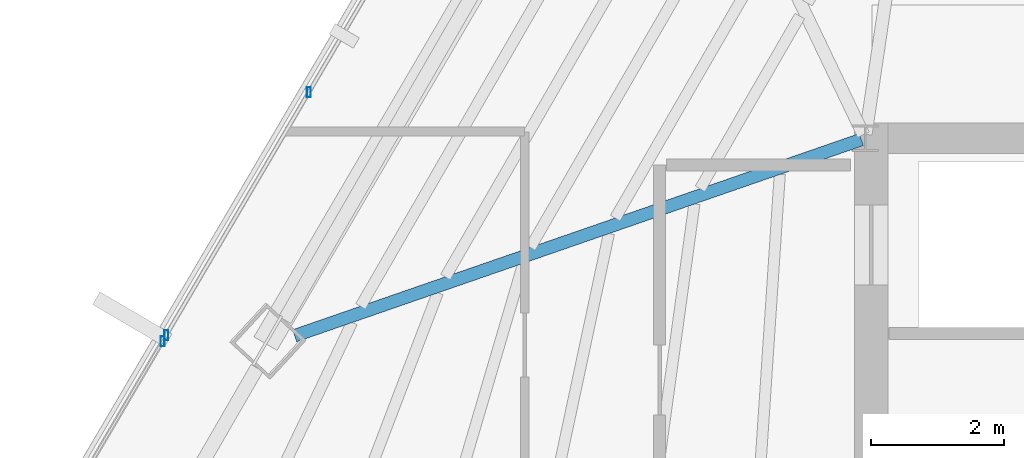
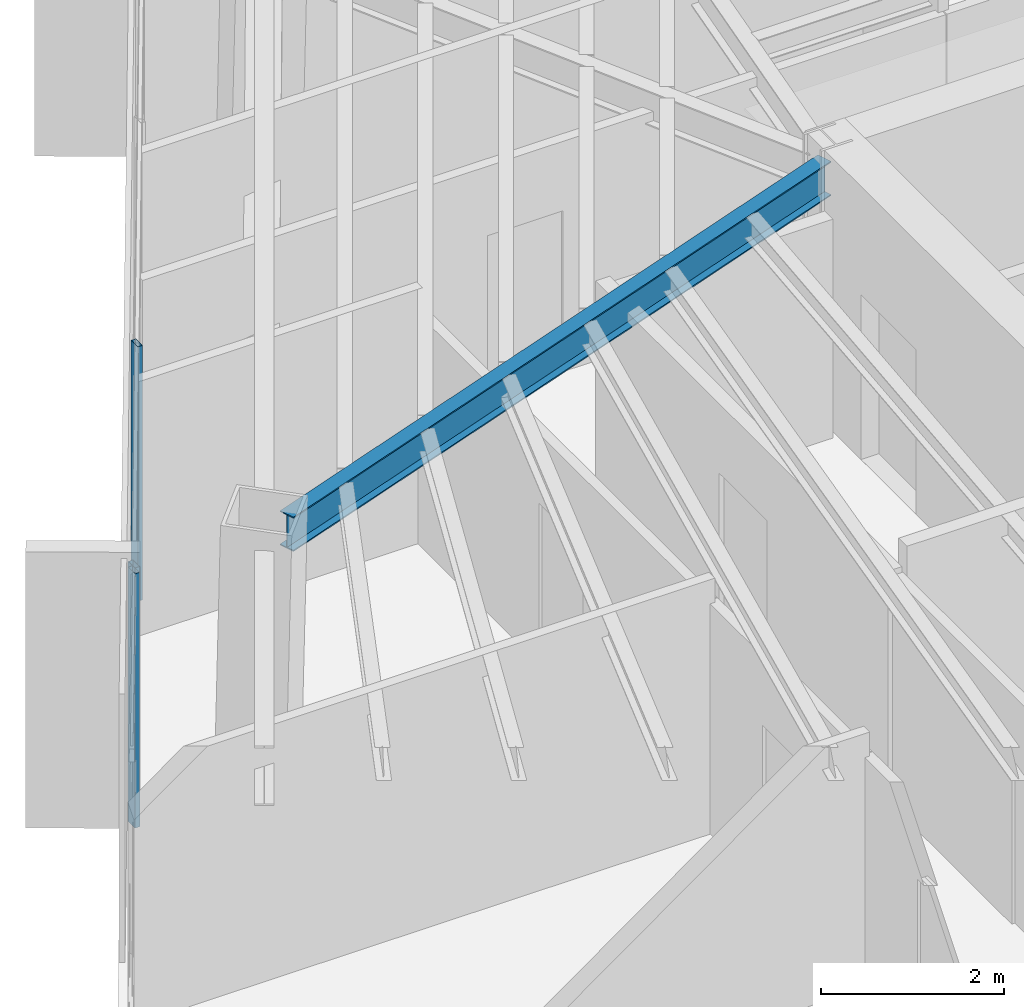
# One storey, part 14 of 42: 3 members, 1 beam, 2 elements without a shape of their own.
"""IFC4 building model written with IfcOpenShell, lengths in metres."""

import ifcopenshell
import ifcopenshell.guid

model = None  # the IFC model being written
_history = None  # IfcOwnerHistory: only IFC2X3 demands one
_inside = {}  # id of a spatial element -> (the spatial element, [elements in it])
_under = {}  # id of a project, library or spatial element -> (it, [spatial elements below it])
_declared = {}  # id of a project -> (the project, [libraries it declares])
_typed = {}  # id of a type object -> (the type object, [elements of that type])
_made_of = {}  # id of a material, layer set ... -> (it, [elements and type objects made of it])


def new_model(schema):
    """Start an empty IFC model of exactly this schema.

    Asked for "IFC4X3", IfcOpenShell would pick the latest addendum, in which some entities
    have other attributes; the version numbers below select the first issue.
    IFC2X3 requires an IfcOwnerHistory on every rooted entity: one is made here for all.
    """
    global model, _history
    if schema == "IFC4X3":
        model = ifcopenshell.file(schema_version=(4, 3, 0, 0))
    else:
        model = ifcopenshell.file(schema=schema)
    _inside.clear()
    _under.clear()
    _declared.clear()
    _typed.clear()
    _made_of.clear()
    _history = None
    if model.schema == "IFC2X3":
        org = make("IfcOrganization", Name="unknown")
        user = make(
            "IfcPersonAndOrganization",
            ThePerson=make("IfcPerson", FamilyName="unknown"),
            TheOrganization=org,
        )
        app = make(
            "IfcApplication",
            ApplicationDeveloper=org,
            Version="unknown",
            ApplicationFullName="unknown",
            ApplicationIdentifier="unknown",
        )
        _history = make(
            "IfcOwnerHistory",
            OwningUser=user,
            OwningApplication=app,
            ChangeAction="ADDED",
            CreationDate=0,
        )
    return model


def make(cls, **values):
    """One entity of the class cls with the attributes given. An attribute that is None is left unset."""
    return model.create_entity(
        cls, **{name: value for name, value in values.items() if value is not None}
    )


def rooted(cls, **values):
    """An entity with a GlobalId (a new one), such as an element, a storey or a relation."""
    return make(cls, GlobalId=ifcopenshell.guid.new(), OwnerHistory=_history, **values)


def si_unit(unit_type, name, prefix=None):
    """IfcSIUnit, for example si_unit("LENGTHUNIT", "METRE", prefix="MILLI")."""
    return make("IfcSIUnit", UnitType=unit_type, Prefix=prefix, Name=name)


def assignment(units):
    """IfcUnitAssignment: the units of a project."""
    return None if units is None else make("IfcUnitAssignment", Units=units)


def point(xyz):
    """IfcCartesianPoint."""
    return None if xyz is None else make("IfcCartesianPoint", Coordinates=xyz)


def direction(xyz):
    """IfcDirection."""
    return None if xyz is None else make("IfcDirection", DirectionRatios=xyz)


def frame(location, z_axis=None, x_axis=None):
    """IfcAxis2Placement3D, a coordinate frame: its origin and axes. An axis left out is left unset."""
    return make(
        "IfcAxis2Placement3D",
        Location=point(location),
        Axis=direction(z_axis),
        RefDirection=direction(x_axis),
    )


def frame_2d(location, x_axis=None):
    """IfcAxis2Placement2D, a coordinate frame in the plane: its origin and x axis."""
    return make(
        "IfcAxis2Placement2D", Location=point(location), RefDirection=direction(x_axis)
    )


def origin():
    """The frame at (0, 0, 0) with its axes left unset."""
    return frame((0.0, 0.0, 0.0))


def origin_2d():
    """The frame at (0, 0) in the plane with its x axis left unset."""
    return frame_2d((0.0, 0.0))


def place(relative_to, where):
    """IfcLocalPlacement: puts the frame where relative to a parent placement (None: the world)."""
    return make(
        "IfcLocalPlacement", PlacementRelTo=relative_to, RelativePlacement=where
    )


def context(
    kind, dimensions, precision=None, world=None, true_north=None, identifier=None
):
    """IfcGeometricRepresentationContext, for example the 3D "Model" context."""
    return make(
        "IfcGeometricRepresentationContext",
        ContextIdentifier=identifier,
        ContextType=kind,
        CoordinateSpaceDimension=dimensions,
        Precision=precision,
        WorldCoordinateSystem=world,
        TrueNorth=true_north,
    )


def subcontext(parent, identifier, kind, view, scale=None):
    """IfcGeometricRepresentationSubContext, for example "Body" below "Model"."""
    return make(
        "IfcGeometricRepresentationSubContext",
        ContextIdentifier=identifier,
        ContextType=kind,
        ParentContext=parent,
        TargetScale=scale,
        TargetView=view,
    )


def project(units=None, contexts=None):
    """IfcProject with its units and contexts."""
    return rooted(
        "IfcProject",
        Name="project",
        RepresentationContexts=contexts,
        UnitsInContext=assignment(units),
    )


def spatial(cls, under=None, at=None, **own):
    """A site, building, storey or space (cls), placed at a placement, below another one or the project."""
    s = rooted(cls, ObjectPlacement=at, **own)
    if under is not None:
        _under.setdefault(under.id(), (under, []))[1].append(s)
    return s


def profile(cls, at=None, kind="AREA", **sizes):
    """A parametric profile (cls). Its sizes go by their IFC names, for example OverallWidth=200.0."""
    return make(cls, ProfileType=kind, Position=at, **sizes)


def hollow_rectangle(**sizes):
    """IfcRectangleHollowProfileDef."""
    return profile("IfcRectangleHollowProfileDef", **sizes)


def i_section(**sizes):
    """IfcIShapeProfileDef."""
    return profile("IfcIShapeProfileDef", **sizes)


def extrude(swept, where, along, depth):
    """IfcExtrudedAreaSolid: the profile swept, set in the frame where, extruded along a direction by depth."""
    return make(
        "IfcExtrudedAreaSolid",
        SweptArea=swept,
        Position=where,
        ExtrudedDirection=direction(along),
        Depth=depth,
    )


def shape(context_of_items, identifier, shape_type, items):
    """IfcShapeRepresentation: the items that make up one representation, for example the "Body"."""
    return make(
        "IfcShapeRepresentation",
        ContextOfItems=context_of_items,
        RepresentationIdentifier=identifier,
        RepresentationType=shape_type,
        Items=items,
    )


def source(mapping_origin, context_of_items, identifier, shape_type, items):
    """IfcRepresentationMap: a shape defined once, which mapped items show again and again."""
    return make(
        "IfcRepresentationMap",
        MappingOrigin=mapping_origin,
        MappedRepresentation=shape(context_of_items, identifier, shape_type, items),
    )


def transform(
    local_origin,
    x_axis=None,
    y_axis=None,
    z_axis=None,
    scale=None,
    scale2=None,
    scale3=None,
    uniform=True,
):
    """IfcCartesianTransformationOperator3D, or its non-uniform kind. x_axis, y_axis, z_axis: its Axis1, 2, 3."""
    if uniform:
        return make(
            "IfcCartesianTransformationOperator3D",
            Axis1=direction(x_axis),
            Axis2=direction(y_axis),
            LocalOrigin=point(local_origin),
            Scale=scale,
            Axis3=direction(z_axis),
        )
    return make(
        "IfcCartesianTransformationOperator3DnonUniform",
        Axis1=direction(x_axis),
        Axis2=direction(y_axis),
        LocalOrigin=point(local_origin),
        Scale=scale,
        Axis3=direction(z_axis),
        Scale2=scale2,
        Scale3=scale3,
    )


def mapped(mapping_source, mapping_target):
    """IfcMappedItem: shows the shape of a source again, moved by a transform."""
    return make(
        "IfcMappedItem", MappingSource=mapping_source, MappingTarget=mapping_target
    )


def material(Name=None, Category=None):
    """IfcMaterial."""
    return make("IfcMaterial", Name=Name, Category=Category)


def material_profile(
    of_material, cross_section, Name=None, Category=None, Priority=None
):
    """IfcMaterialProfile: a cross section and its material."""
    return make(
        "IfcMaterialProfile",
        Name=Name,
        Material=of_material,
        Profile=cross_section,
        Priority=Priority,
        Category=Category,
    )


def profile_set(profiles, Name=None, composite=None):
    """IfcMaterialProfileSet."""
    return make(
        "IfcMaterialProfileSet",
        Name=Name,
        MaterialProfiles=profiles,
        CompositeProfile=composite,
    )


def made_of(thing, what):
    """Note that an element or type object is made of a material, layer set ...; save() writes the relation."""
    if what is not None:
        _made_of.setdefault(what.id(), (what, []))[1].append(thing)
    return thing


def type_object(cls, material=None, **own):
    """A type object (cls), such as IfcWallType, which elements share."""
    return made_of(rooted(cls, **own), material)


def type_shapes(of_type, sources):
    """Give a type object the sources (RepresentationMaps) that its elements show as mapped items."""
    of_type.RepresentationMaps = sources


def element(
    cls,
    number,
    at=None,
    inside=None,
    cuts=None,
    type_object=None,
    material=None,
    context=None,
    identifier="Body",
    shape_type=None,
    held_by="IfcProductDefinitionShape",
    body=None,
    shapes=None,
    **own,
):
    """One element of the class cls, such as IfcWall. Its Tag is "e" and its number.

    at: its placement. inside: the storey or other place that contains it. cuts: it is an
    opening in that element (IfcRelVoidsElement). A single representation is given by context,
    identifier, shape_type and body (its items); several are given by shapes. held_by: the class
    of the entity that holds the representations. save() writes the other relations.
    """
    e = rooted(cls, Tag="e%d" % number, ObjectPlacement=at, **own)
    if body is not None:
        shapes = [shape(context, identifier, shape_type, body)]
    if shapes is not None:
        e.Representation = make(held_by, Representations=shapes)
    if inside is not None:
        _inside.setdefault(inside.id(), (inside, []))[1].append(e)
    if cuts is not None:
        rooted(
            "IfcRelVoidsElement", RelatingBuildingElement=cuts, RelatedOpeningElement=e
        )
    if type_object is not None:
        _typed.setdefault(type_object.id(), (type_object, []))[1].append(e)
    return made_of(e, material)


def aggregate(whole, parts):
    """IfcRelAggregates: a whole, such as a stair, and the parts it consists of."""
    return rooted("IfcRelAggregates", RelatingObject=whole, RelatedObjects=parts)


def save(model, path):
    """Write the relations noted so far, then the file.

    IfcRelAggregates (storeys below a building ...), IfcRelContainedInSpatialStructure (elements
    in a storey), IfcRelDefinesByType, IfcRelAssociatesMaterial and IfcRelDeclares: one each for
    every whole, place, type object, material and project.
    """
    for whole, parts in _under.values():
        aggregate(whole, parts)
    for where, things in _inside.values():
        rooted(
            "IfcRelContainedInSpatialStructure",
            RelatedElements=things,
            RelatingStructure=where,
        )
    for kind, things in _typed.values():
        rooted("IfcRelDefinesByType", RelatedObjects=things, RelatingType=kind)
    for what, things in _made_of.values():
        rooted("IfcRelAssociatesMaterial", RelatedObjects=things, RelatingMaterial=what)
    for by, libraries in _declared.values():
        rooted("IfcRelDeclares", RelatingContext=by, RelatedDefinitions=libraries)
    model.write(path)


model = new_model("IFC4")

# Units and contexts
model_context = context("Model", 3, precision=1e-05, world=origin(), true_north=direction((0.0, 1.0)))
body_context = subcontext(model_context, "Body", "Model", "MODEL_VIEW")
ifc_project = project(units=[si_unit("LENGTHUNIT", "METRE"), si_unit("AREAUNIT", "SQUARE_METRE"), si_unit("VOLUMEUNIT", "CUBIC_METRE"), si_unit("PLANEANGLEUNIT", "RADIAN"), si_unit("MASSUNIT", "GRAM", prefix="KILO")], contexts=[model_context])

# Site, building, storey
site_placement = place(None, origin())
site = spatial("IfcSite", under=ifc_project, at=site_placement, CompositionType="ELEMENT")
building_placement = place(site_placement, origin())
building = spatial("IfcBuilding", under=site, at=building_placement, Name="Caelisora Broadcast Tower", CompositionType="ELEMENT")
storey_placement = place(building_placement, frame((0.0, 0.0, 202.300048828125)))
storey = spatial("IfcBuildingStorey", under=building, at=storey_placement, Name="L53", CompositionType="ELEMENT", Elevation=202.300048828125)

# Beam
ifc_material_1 = material(Name="Steel Grade 350 (AS/NZS 3679.1)", Category="steel")
ifc_material_profile_1 = material_profile(ifc_material_1, i_section(OverallWidth=0.19091796875, OverallDepth=0.46044921875, WebThickness=0.010009765625, FlangeThickness=0.01611328125, at=origin_2d()), Name="Steel Grade 350 (AS/NZS 3679.1)")
ifc_profile_set_1 = profile_set([ifc_material_profile_1], Name="Steel Grade 350 (AS/NZS 3679.1)")
beam_type = type_object("IfcBeamType", Name="PG06", PredefinedType="BEAM", material=ifc_profile_set_1)
shared_shape_1 = source(origin(), body_context, "Body", "SweptSolid", [
    extrude(i_section(OverallWidth=0.19091796875, OverallDepth=0.46044921875, WebThickness=0.010009765625, FlangeThickness=0.01611328125, at=origin_2d()), origin(), (0.0, 0.0, 1.0), 8.989990234375),
])
type_shapes(beam_type, [shared_shape_1])
beam_placement = place(storey_placement, frame((30.443359375, 29.98046875, 3.169677734375), z_axis=(-0.944970251877, -0.327156267045, 0.0), x_axis=(0.327156267045, -0.944970251877, 0.0)))
element("IfcBeam", 1, at=beam_placement, inside=storey, type_object=beam_type, Name="L53 beam PG06", PredefinedType="BEAM", context=body_context, shape_type="MappedRepresentation", body=[
    mapped(shared_shape_1, transform((0.0, 0.0, 0.0), scale=1.0)),
])

# Curtain wall, member
ifc_material_2 = material(Name="Unitised Aluminium and Low-E Glass Curtain Wall", Category="glass")
curtain_wall_type_1 = type_object("IfcCurtainWallType", Name="CW-Z4", PredefinedType="NOTDEFINED", material=ifc_material_2)
curtain_wall_1_placement = place(storey_placement, origin())
curtain_wall_1 = element("IfcCurtainWall", 2, at=curtain_wall_1_placement, inside=storey, type_object=curtain_wall_type_1, Name="L53 curtain wall CW-Z4", PredefinedType="NOTDEFINED")
ifc_material_3 = material(Name="Aluminium 6063-T6 Anodised Terracotta Bronze", Category="aluminium")
ifc_material_profile_2 = material_profile(ifc_material_3, hollow_rectangle(XDim=0.06005859375, YDim=0.14990234375, WallThickness=0.00341796875, at=origin_2d()), Name="Aluminium 6063-T6 Anodised Terracotta Bronze")
ifc_profile_set_2 = profile_set([ifc_material_profile_2], Name="Aluminium 6063-T6 Anodised Terracotta Bronze")
member_type = type_object("IfcMemberType", Name="CWM-03", PredefinedType="MULLION", material=ifc_profile_set_2)
shared_shape_2 = source(origin(), body_context, "Body", "SweptSolid", [
    extrude(hollow_rectangle(XDim=0.06005859375, YDim=0.14990234375, WallThickness=0.00341796875, at=origin_2d()), origin(), (0.0, 0.0, 1.0), 3.39990234375),
])
type_shapes(member_type, [shared_shape_2])
member_1_placement = place(storey_placement, frame((19.968505859375, 26.955078125, 0.0), z_axis=(0.0, 0.0, 1.0), x_axis=(1.0, 0.0, 0.0)))
member_1 = element("IfcMember", 3, at=member_1_placement, type_object=member_type, Name="L53-CW-B09 mullion #3", PredefinedType="MULLION", context=body_context, shape_type="MappedRepresentation", body=[
    mapped(shared_shape_2, transform((0.0, 0.0, 0.0), scale=1.0)),
])
aggregate(curtain_wall_1, [member_1])

# Curtain wall, members
ifc_material_4 = material(Name="Unitised Aluminium Insulated Shadow-Box Spandrel Curtain Wall", Category="aluminium")
curtain_wall_type_2 = type_object("IfcCurtainWallType", Name="CW-SP2", PredefinedType="NOTDEFINED", material=ifc_material_4)
curtain_wall_2_placement = place(storey_placement, origin())
curtain_wall_2 = element("IfcCurtainWall", 4, at=curtain_wall_2_placement, inside=storey, type_object=curtain_wall_type_2, Name="L53 curtain wall CW-SP2", PredefinedType="NOTDEFINED")
member_2_placement = place(storey_placement, frame((20.024169921875, 27.0498046875, 0.0), z_axis=(0.0, 0.0, 1.0), x_axis=(1.0, 0.0, 0.0)))
member_2 = element("IfcMember", 5, at=member_2_placement, type_object=member_type, Name="L53-CW-B10 mullion #0", PredefinedType="MULLION", context=body_context, shape_type="MappedRepresentation", body=[
    mapped(shared_shape_2, transform((0.0, 0.0, 0.0), scale=1.0)),
])
member_3_placement = place(storey_placement, frame((22.16162109375, 30.689697265625, 0.0), z_axis=(0.0, 0.0, 1.0), x_axis=(1.0, 0.0, 0.0)))
member_3 = element("IfcMember", 6, at=member_3_placement, type_object=member_type, Name="L53-CW-B10 mullion #1", PredefinedType="MULLION", context=body_context, shape_type="MappedRepresentation", body=[
    mapped(shared_shape_2, transform((0.0, 0.0, 0.0), scale=1.0)),
])
aggregate(curtain_wall_2, [member_2, member_3])

save(model, "model.ifc")
